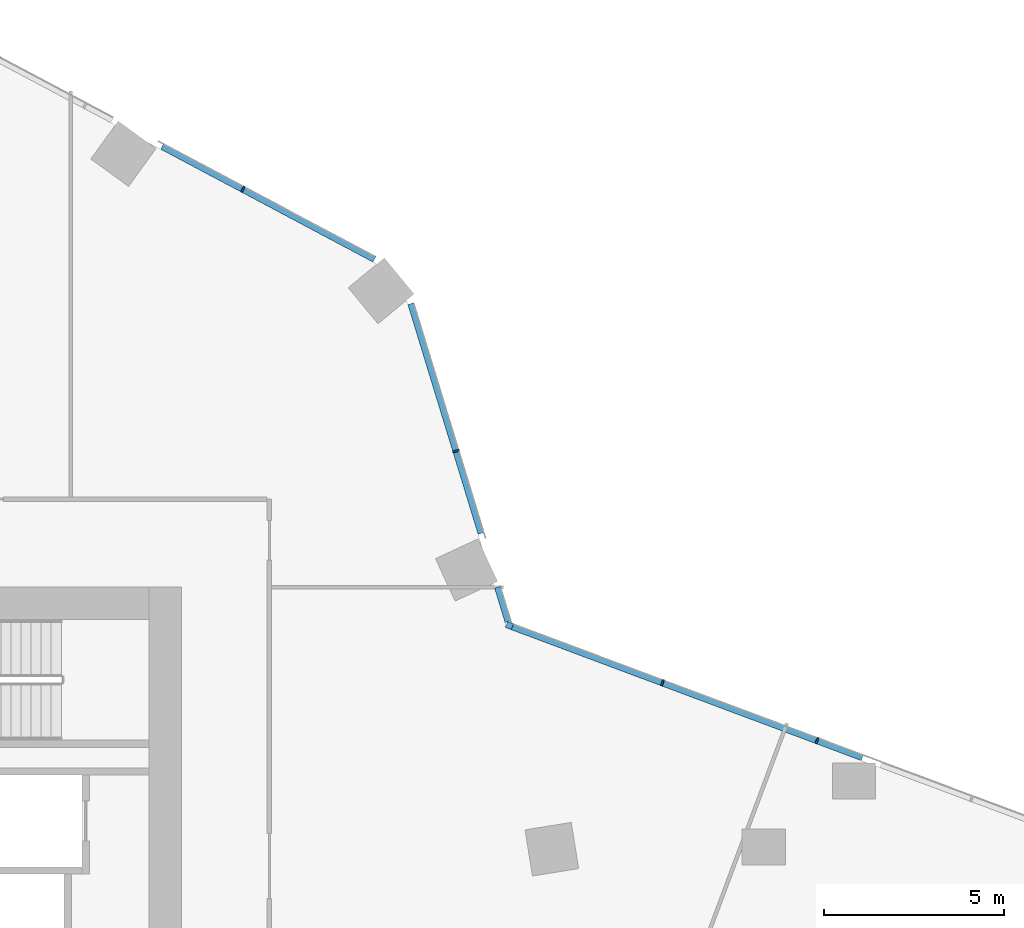
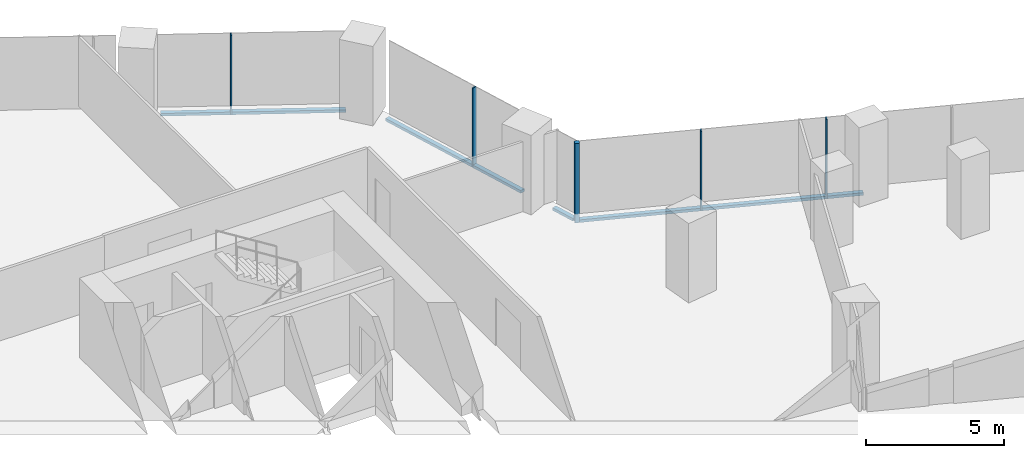
# One storey, part 13 of 31: 9 members, 3 elements without a shape of their own.
"""IFC4 building model written with IfcOpenShell, lengths in metres."""

from ifc_helpers import new_model, si_unit, direction, frame, origin, origin_2d, place, context, subcontext, project, spatial, rectangle, extrude, material, material_profile, profile_set, type_object, element, aggregate, save


model = new_model("IFC4")

# Units and contexts
model_context = context("Model", 3, precision=1e-05, world=origin(), true_north=direction((0.0, 1.0)))
body_context = subcontext(model_context, "Body", "Model", "MODEL_VIEW")
ifc_project = project(units=[si_unit("LENGTHUNIT", "METRE"), si_unit("AREAUNIT", "SQUARE_METRE"), si_unit("VOLUMEUNIT", "CUBIC_METRE"), si_unit("PLANEANGLEUNIT", "RADIAN"), si_unit("MASSUNIT", "GRAM", prefix="KILO")], contexts=[model_context])

# Site, building, storey
site_placement = place(None, origin())
site = spatial("IfcSite", under=ifc_project, at=site_placement, CompositionType="ELEMENT")
building_placement = place(site_placement, origin())
building = spatial("IfcBuilding", under=site, at=building_placement, Name="Orlundy Tower", CompositionType="ELEMENT")
storey_placement = place(building_placement, frame((0.0, 0.0, 84.199951171875)))
storey = spatial("IfcBuildingStorey", under=building, at=storey_placement, Name="L20", CompositionType="ELEMENT", Elevation=84.199951171875)

# Curtain wall, member
ifc_material_1 = material(Name="Aluminium bronze anodised", Category="aluminium")
curtain_wall_type = type_object("IfcCurtainWallType", Name="CW1 wall", PredefinedType="NOTDEFINED", material=ifc_material_1)
curtain_wall_1_placement = place(storey_placement, origin())
curtain_wall_1 = element("IfcCurtainWall", 1, at=curtain_wall_1_placement, inside=storey, type_object=curtain_wall_type, Name="CW1 run 06", PredefinedType="NOTDEFINED")
ifc_material_2 = material(Name="Aluminium bronze anodised", Category="aluminium")
ifc_material_profile_1 = material_profile(ifc_material_2, rectangle(XDim=0.179931640625, YDim=0.179931640625, at=origin_2d()), Name="CW1 corner post 180x180")
ifc_profile_set_1 = profile_set([ifc_material_profile_1], Name="Aluminium bronze anodised")
member_type_1 = type_object("IfcMemberType", Name="CW1 corner post 180x180", PredefinedType="MULLION", material=ifc_profile_set_1)
member_1_placement = place(storey_placement, frame((28.1220703125, 10.933837890625, -0.39990234375), z_axis=(0.0, 0.0, 1.0), x_axis=(0.350203812273, 0.93667352363, 0.0)))
member_1 = element("IfcMember", 2, at=member_1_placement, type_object=member_type_1, Name="CW1 mullion 26", PredefinedType="MULLION", context=body_context, shape_type="SweptSolid", body=[
    extrude(rectangle(XDim=0.179931640625, YDim=0.179931640625, at=origin_2d()), origin(), (0.0, 0.0, 1.0), 3.5),
])

curtain_wall_2_placement = place(storey_placement, origin())
curtain_wall_2 = element("IfcCurtainWall", 3, at=curtain_wall_2_placement, inside=storey, type_object=curtain_wall_type, Name="CW1 run 04", PredefinedType="NOTDEFINED")
ifc_material_3 = material(Name="Aluminium bronze anodised", Category="aluminium")
ifc_material_profile_2 = material_profile(ifc_material_3, rectangle(XDim=0.179931640625, YDim=0.050048828125, at=origin_2d()), Name="CW1 mullion 50x180")
ifc_profile_set_2 = profile_set([ifc_material_profile_2], Name="Aluminium bronze anodised")
member_type_2 = type_object("IfcMemberType", Name="CW1 mullion 50x180", PredefinedType="MULLION", material=ifc_profile_set_2)
member_2_placement = place(storey_placement, frame((20.70947265625, 23.06787109375, -0.39990234375), z_axis=(0.0, 0.0, 1.0), x_axis=(0.469445471129, 0.882961465544, 0.0)))
member_2 = element("IfcMember", 4, at=member_2_placement, type_object=member_type_2, Name="CW1 mullion 23", PredefinedType="MULLION", context=body_context, shape_type="SweptSolid", body=[
    extrude(rectangle(XDim=0.179931640625, YDim=0.050048828125, at=origin_2d()), origin(), (0.0, 0.0, 1.0), 3.5),
])

curtain_wall_3_placement = place(storey_placement, origin())
curtain_wall_3 = element("IfcCurtainWall", 5, at=curtain_wall_3_placement, inside=storey, type_object=curtain_wall_type, Name="CW1 run 05", PredefinedType="NOTDEFINED")
member_3_placement = place(storey_placement, frame((26.638671875, 15.786376953125, -0.39990234375), z_axis=(0.0, 0.0, 1.0), x_axis=(0.956307579156, 0.292362470314, 0.0)))
member_3 = element("IfcMember", 6, at=member_3_placement, type_object=member_type_2, Name="CW1 mullion 25", PredefinedType="MULLION", context=body_context, shape_type="SweptSolid", body=[
    extrude(rectangle(XDim=0.179931640625, YDim=0.050048828125, at=origin_2d()), origin(), (0.0, 0.0, 1.0), 3.5),
])

# Member
member_4_placement = place(storey_placement, frame((32.378662109375, 9.34228515625, -0.39990234375), z_axis=(0.0, 0.0, 1.0), x_axis=(0.350203812273, 0.93667352363, 0.0)))
member_4 = element("IfcMember", 7, at=member_4_placement, type_object=member_type_2, Name="CW1 mullion 27", PredefinedType="MULLION", context=body_context, shape_type="SweptSolid", body=[
    extrude(rectangle(XDim=0.179931640625, YDim=0.050048828125, at=origin_2d()), origin(), (0.0, 0.0, 1.0), 3.5),
])

member_5_placement = place(storey_placement, frame((36.6767578125, 7.7353515625, -0.39990234375), z_axis=(0.0, 0.0, 1.0), x_axis=(0.350203812273, 0.93667352363, 0.0)))
member_5 = element("IfcMember", 8, at=member_5_placement, type_object=member_type_2, Name="CW1 mullion 28", PredefinedType="MULLION", context=body_context, shape_type="SweptSolid", body=[
    extrude(rectangle(XDim=0.179931640625, YDim=0.050048828125, at=origin_2d()), origin(), (0.0, 0.0, 1.0), 3.5),
])

ifc_material_4 = material(Name="Aluminium bronze anodised", Category="aluminium")
ifc_material_profile_3 = material_profile(ifc_material_4, rectangle(XDim=0.179931640625, YDim=0.1201171875, at=origin_2d()), Name="CW1 transom 180x120")
ifc_profile_set_3 = profile_set([ifc_material_profile_3], Name="Aluminium bronze anodised")
member_type_3 = type_object("IfcMemberType", Name="CW1 transom 180x120", PredefinedType="USERDEFINED", material=ifc_profile_set_3)
member_6_placement = place(storey_placement, frame((18.46337890625, 24.261962890625, -0.33984375), z_axis=(0.882967709111, -0.469433727662, 0.0), x_axis=(0.469433727662, 0.882967709111, 0.0)))
member_6 = element("IfcMember", 9, at=member_6_placement, type_object=member_type_3, Name="CW1 transom", ObjectType="TRANSOM", PredefinedType="USERDEFINED", context=body_context, shape_type="SweptSolid", body=[
    extrude(rectangle(XDim=0.179931640625, YDim=0.1201171875, at=origin_2d()), origin(), (0.0, 0.0, 1.0), 6.6865234375),
])

aggregate(curtain_wall_2, [member_2, member_6])

member_7_placement = place(storey_placement, frame((25.384521484375, 19.88818359375, -0.33984375), z_axis=(0.29237817576, -0.956302777545, 0.0), x_axis=(0.956302777545, 0.29237817576, 0.0)))
member_7 = element("IfcMember", 10, at=member_7_placement, type_object=member_type_3, Name="CW1 transom", ObjectType="TRANSOM", PredefinedType="USERDEFINED", context=body_context, shape_type="SweptSolid", body=[
    extrude(rectangle(XDim=0.179931640625, YDim=0.1201171875, at=origin_2d()), origin(), (0.0, 0.0, 1.0), 6.6826171875),
])

member_8_placement = place(storey_placement, frame((27.796630859375, 11.998291015625, -0.33984375), z_axis=(0.292317803048, -0.956321233698, 0.0), x_axis=(0.956321233698, 0.292317803048, 0.0)))
member_8 = element("IfcMember", 11, at=member_8_placement, type_object=member_type_3, Name="CW1 transom", ObjectType="TRANSOM", PredefinedType="USERDEFINED", context=body_context, shape_type="SweptSolid", body=[
    extrude(rectangle(XDim=0.179931640625, YDim=0.1201171875, at=origin_2d()), origin(), (0.0, 0.0, 1.0), 0.999755859375),
])

aggregate(curtain_wall_3, [member_3, member_7, member_8])

member_9_placement = place(storey_placement, frame((28.206298828125, 10.90234375, -0.33984375), z_axis=(0.936668771124, -0.350216523313, 0.0), x_axis=(0.350216523313, 0.936668771124, 0.0)))
member_9 = element("IfcMember", 12, at=member_9_placement, type_object=member_type_3, Name="CW1 transom", ObjectType="TRANSOM", PredefinedType="USERDEFINED", context=body_context, shape_type="SweptSolid", body=[
    extrude(rectangle(XDim=0.179931640625, YDim=0.1201171875, at=origin_2d()), origin(), (0.0, 0.0, 1.0), 10.38623046875),
])

aggregate(curtain_wall_1, [member_1, member_4, member_5, member_9])

save(model, "model.ifc")
